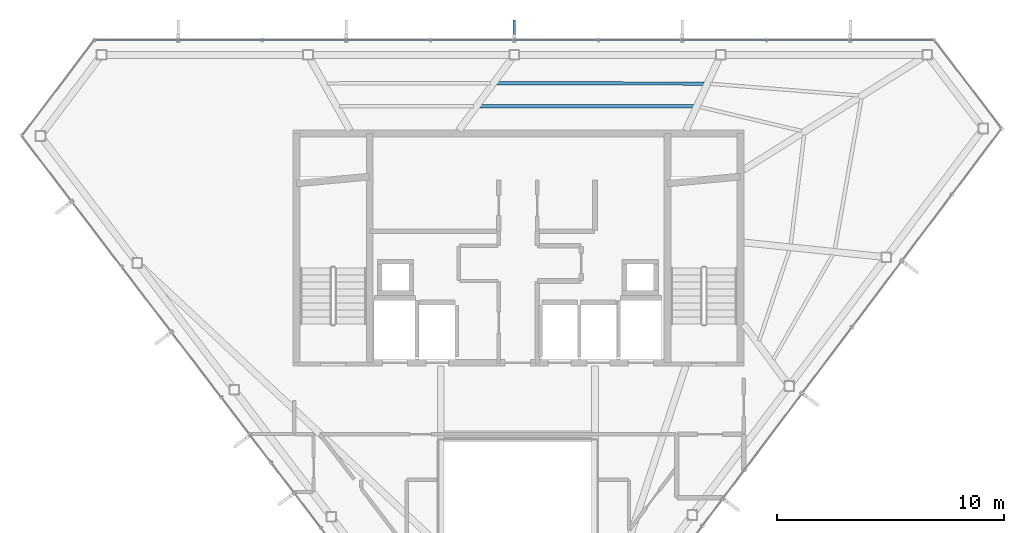
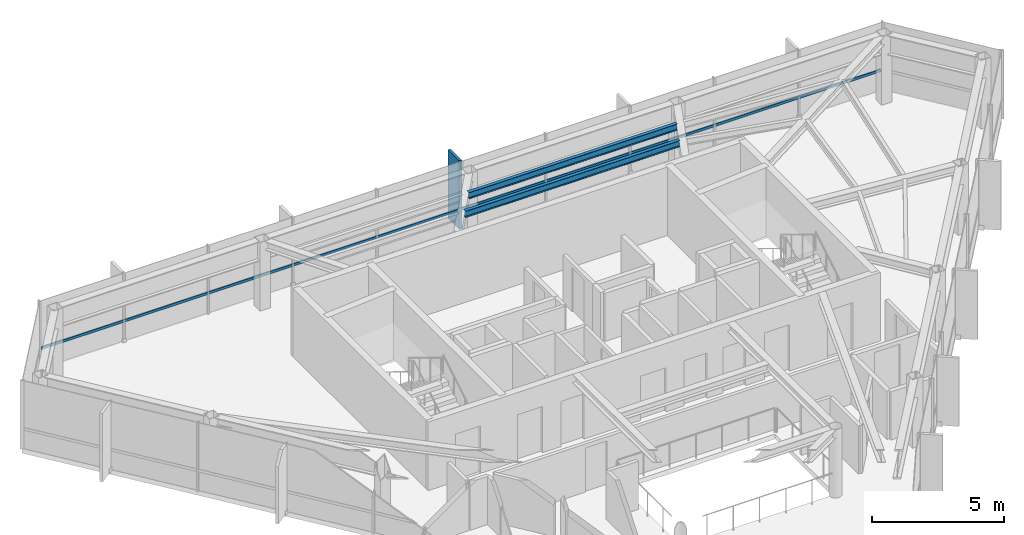
# One storey, part 13 of 22: 2 beams, 2 members, 1 element without a shape of its own.
"""IFC4 building model written with IfcOpenShell, lengths in metres."""

from ifc_helpers import new_model, si_unit, direction, frame, origin, origin_2d, place, context, subcontext, project, spatial, rectangle, hollow_rectangle, i_section, extrude, material, layer, layer_set, material_profile, profile_set, type_object, element, aggregate, save


model = new_model("IFC4")

# Units and contexts
model_context = context("Model", 3, precision=1e-05, world=origin(), true_north=direction((0.0, 1.0)))
body_context = subcontext(model_context, "Body", "Model", "MODEL_VIEW")
ifc_project = project(units=[si_unit("LENGTHUNIT", "METRE"), si_unit("AREAUNIT", "SQUARE_METRE"), si_unit("VOLUMEUNIT", "CUBIC_METRE"), si_unit("PLANEANGLEUNIT", "RADIAN"), si_unit("MASSUNIT", "GRAM", prefix="KILO")], contexts=[model_context])

# Site, building, storey
site_placement = place(None, origin())
site = spatial("IfcSite", under=ifc_project, at=site_placement, CompositionType="ELEMENT")
building_placement = place(site_placement, origin())
building = spatial("IfcBuilding", under=site, at=building_placement, Name="Zarrinselat Tower", CompositionType="ELEMENT")
storey_placement = place(building_placement, frame((0.0, 0.0, 292.39990234375)))
storey = spatial("IfcBuildingStorey", under=building, at=storey_placement, Name="L75", CompositionType="ELEMENT", Elevation=292.39990234375)

# Beams
ifc_material_1 = material(Name="Steel S355J2", Category="steel")
ifc_material_profile_1 = material_profile(ifc_material_1, i_section(OverallWidth=0.14990234375, OverallDepth=0.300048828125, WebThickness=0.007080078125, FlangeThickness=0.0107421875, at=origin_2d()), Name="IPE 300")
ifc_profile_set_1 = profile_set([ifc_material_profile_1], Name="Steel S355J2")
beam_type = type_object("IfcBeamType", Name="BM-IPE300", PredefinedType="JOIST", material=ifc_profile_set_1)
beam_1_placement = place(storey_placement, frame((37.46533203125, 45.61474609375, 3.030029296875), z_axis=(0.999998675002, -0.001627879995, 0.0), x_axis=(0.001627879995, 0.999998675002, 0.0)))
element("IfcBeam", 1, at=beam_1_placement, inside=storey, type_object=beam_type, Name="L75 Composite Floor Joist 7-1", PredefinedType="JOIST", context=body_context, shape_type="SweptSolid", body=[
    extrude(i_section(OverallWidth=0.14990234375, OverallDepth=0.300048828125, WebThickness=0.007080078125, FlangeThickness=0.0107421875, at=origin_2d()), origin(), (0.0, 0.0, 1.0), 9.1484375),
])
beam_2_placement = place(storey_placement, frame((36.7255859375, 44.60888671875, 3.030029296875), z_axis=(0.999999677642, -0.000802942137, 0.0), x_axis=(0.000802942137, 0.999999677642, 0.0)))
element("IfcBeam", 2, at=beam_2_placement, inside=storey, type_object=beam_type, Name="L75 Composite Floor Joist 7-2", PredefinedType="JOIST", context=body_context, shape_type="SweptSolid", body=[
    extrude(i_section(OverallWidth=0.14990234375, OverallDepth=0.300048828125, WebThickness=0.007080078125, FlangeThickness=0.0107421875, at=origin_2d()), origin(), (0.0, 0.0, 1.0), 9.42578125),
])

# Curtain wall, members
ifc_material_2 = material(Name="Extruded Aluminium Alloy EN AW-6063 T6", Category="aluminium")
ifc_layer = layer(ifc_material_2, 0.169921875)
ifc_layer_set = layer_set([ifc_layer], Name="Extruded Aluminium Alloy EN AW-6063 T6")
curtain_wall_type = type_object("IfcCurtainWallType", Name="CWS-RES", PredefinedType="NOTDEFINED", material=ifc_layer_set)
curtain_wall_placement = place(storey_placement, origin())
curtain_wall = element("IfcCurtainWall", 3, at=curtain_wall_placement, inside=storey, type_object=curtain_wall_type, Name="L75 Unitised Curtain Wall CW-L75-E01", PredefinedType="NOTDEFINED")
ifc_material_3 = material(Name="Extruded Aluminium Alloy EN AW-6063 T6", Category="aluminium")
ifc_material_profile_2 = material_profile(ifc_material_3, hollow_rectangle(XDim=0.06005859375, YDim=0.1201171875, WallThickness=0.00390625, at=origin_2d()), Name="RHS 120x60x4")
ifc_profile_set_2 = profile_set([ifc_material_profile_2], Name="Extruded Aluminium Alloy EN AW-6063 T6")
member_type_1 = type_object("IfcMemberType", Name="MEM-CW-TRN2", PredefinedType="USERDEFINED", material=ifc_profile_set_2)
member_1_placement = place(storey_placement, frame((56.6669921875, 47.5166015625, 0.9501953125), z_axis=(-1.0, 0.0, 0.0), x_axis=(0.0, -1.0, 0.0)))
member_1 = element("IfcMember", 4, at=member_1_placement, type_object=member_type_1, Name="CW-L75-E01 Transom 1", ObjectType="TRANSOM", PredefinedType="USERDEFINED", context=body_context, shape_type="SweptSolid", body=[
    extrude(hollow_rectangle(XDim=0.06005859375, YDim=0.1201171875, WallThickness=0.00390625, at=origin_2d()), origin(), (0.0, 0.0, 1.0), 36.845947265625),
])
ifc_material_4 = material(Name="Honed Cream Travertine Stone", Category="masonry")
ifc_material_profile_3 = material_profile(ifc_material_4, rectangle(XDim=0.1201171875, YDim=0.85009765625, at=origin_2d()), Name="FIN 850x120")
ifc_profile_set_3 = profile_set([ifc_material_profile_3], Name="Honed Cream Travertine Stone")
member_type_2 = type_object("IfcMemberType", Name="MEM-STONE-FIN", PredefinedType="USERDEFINED", material=ifc_profile_set_3)
member_2_placement = place(storey_placement, frame((38.244140625, 47.976806640625, 0.0), z_axis=(0.0, 0.0, 1.0), x_axis=(1.0, 0.0, 0.0)))
member_2 = element("IfcMember", 5, at=member_2_placement, type_object=member_type_2, Name="L75 Stone Shading Fin CW-L75-E01-05", ObjectType="FIN", PredefinedType="USERDEFINED", context=body_context, shape_type="SweptSolid", body=[
    extrude(rectangle(XDim=0.1201171875, YDim=0.85009765625, at=origin_2d()), origin(), (0.0, 0.0, 1.0), 3.18017578125),
])
aggregate(curtain_wall, [member_2, member_1])

save(model, "model.ifc")
